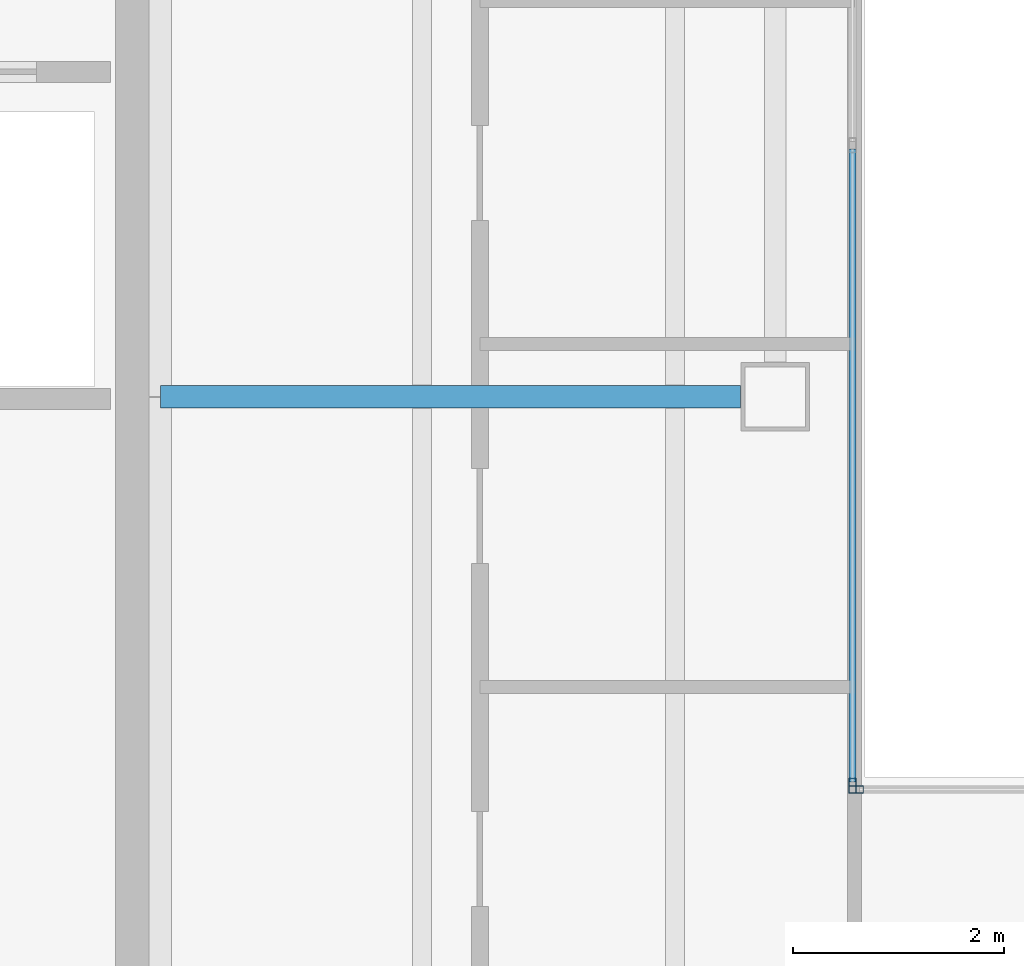
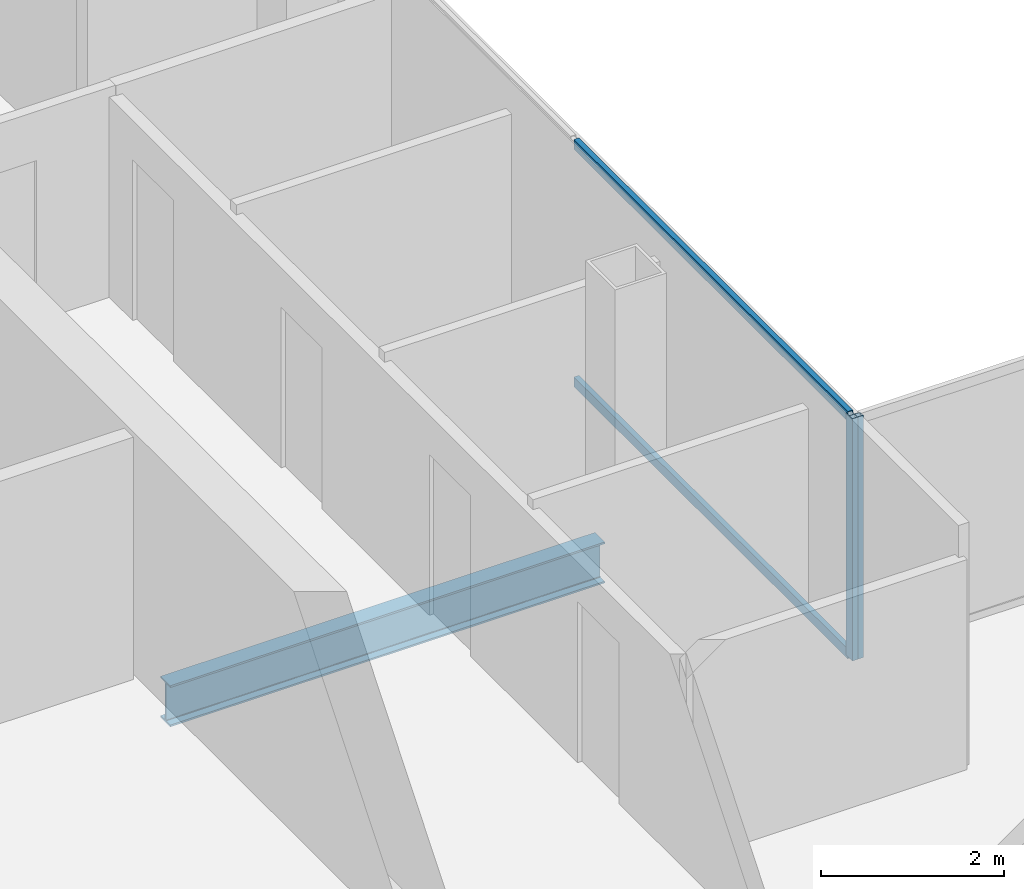
# One storey, part 8 of 23: 4 members, 1 beam, 2 elements without a shape of their own.
"""IFC4 building model written with IfcOpenShell, lengths in metres."""

import ifcopenshell
import ifcopenshell.guid

model = None  # the IFC model being written
_history = None  # IfcOwnerHistory: only IFC2X3 demands one
_inside = {}  # id of a spatial element -> (the spatial element, [elements in it])
_under = {}  # id of a project, library or spatial element -> (it, [spatial elements below it])
_declared = {}  # id of a project -> (the project, [libraries it declares])
_typed = {}  # id of a type object -> (the type object, [elements of that type])
_made_of = {}  # id of a material, layer set ... -> (it, [elements and type objects made of it])


def new_model(schema):
    """Start an empty IFC model of exactly this schema.

    Asked for "IFC4X3", IfcOpenShell would pick the latest addendum, in which some entities
    have other attributes; the version numbers below select the first issue.
    IFC2X3 requires an IfcOwnerHistory on every rooted entity: one is made here for all.
    """
    global model, _history
    if schema == "IFC4X3":
        model = ifcopenshell.file(schema_version=(4, 3, 0, 0))
    else:
        model = ifcopenshell.file(schema=schema)
    _inside.clear()
    _under.clear()
    _declared.clear()
    _typed.clear()
    _made_of.clear()
    _history = None
    if model.schema == "IFC2X3":
        org = make("IfcOrganization", Name="unknown")
        user = make(
            "IfcPersonAndOrganization",
            ThePerson=make("IfcPerson", FamilyName="unknown"),
            TheOrganization=org,
        )
        app = make(
            "IfcApplication",
            ApplicationDeveloper=org,
            Version="unknown",
            ApplicationFullName="unknown",
            ApplicationIdentifier="unknown",
        )
        _history = make(
            "IfcOwnerHistory",
            OwningUser=user,
            OwningApplication=app,
            ChangeAction="ADDED",
            CreationDate=0,
        )
    return model


def make(cls, **values):
    """One entity of the class cls with the attributes given. An attribute that is None is left unset."""
    return model.create_entity(
        cls, **{name: value for name, value in values.items() if value is not None}
    )


def rooted(cls, **values):
    """An entity with a GlobalId (a new one), such as an element, a storey or a relation."""
    return make(cls, GlobalId=ifcopenshell.guid.new(), OwnerHistory=_history, **values)


def si_unit(unit_type, name, prefix=None):
    """IfcSIUnit, for example si_unit("LENGTHUNIT", "METRE", prefix="MILLI")."""
    return make("IfcSIUnit", UnitType=unit_type, Prefix=prefix, Name=name)


def assignment(units):
    """IfcUnitAssignment: the units of a project."""
    return None if units is None else make("IfcUnitAssignment", Units=units)


def point(xyz):
    """IfcCartesianPoint."""
    return None if xyz is None else make("IfcCartesianPoint", Coordinates=xyz)


def direction(xyz):
    """IfcDirection."""
    return None if xyz is None else make("IfcDirection", DirectionRatios=xyz)


def frame(location, z_axis=None, x_axis=None):
    """IfcAxis2Placement3D, a coordinate frame: its origin and axes. An axis left out is left unset."""
    return make(
        "IfcAxis2Placement3D",
        Location=point(location),
        Axis=direction(z_axis),
        RefDirection=direction(x_axis),
    )


def frame_2d(location, x_axis=None):
    """IfcAxis2Placement2D, a coordinate frame in the plane: its origin and x axis."""
    return make(
        "IfcAxis2Placement2D", Location=point(location), RefDirection=direction(x_axis)
    )


def origin():
    """The frame at (0, 0, 0) with its axes left unset."""
    return frame((0.0, 0.0, 0.0))


def origin_2d():
    """The frame at (0, 0) in the plane with its x axis left unset."""
    return frame_2d((0.0, 0.0))


def place(relative_to, where):
    """IfcLocalPlacement: puts the frame where relative to a parent placement (None: the world)."""
    return make(
        "IfcLocalPlacement", PlacementRelTo=relative_to, RelativePlacement=where
    )


def context(
    kind, dimensions, precision=None, world=None, true_north=None, identifier=None
):
    """IfcGeometricRepresentationContext, for example the 3D "Model" context."""
    return make(
        "IfcGeometricRepresentationContext",
        ContextIdentifier=identifier,
        ContextType=kind,
        CoordinateSpaceDimension=dimensions,
        Precision=precision,
        WorldCoordinateSystem=world,
        TrueNorth=true_north,
    )


def subcontext(parent, identifier, kind, view, scale=None):
    """IfcGeometricRepresentationSubContext, for example "Body" below "Model"."""
    return make(
        "IfcGeometricRepresentationSubContext",
        ContextIdentifier=identifier,
        ContextType=kind,
        ParentContext=parent,
        TargetScale=scale,
        TargetView=view,
    )


def project(units=None, contexts=None):
    """IfcProject with its units and contexts."""
    return rooted(
        "IfcProject",
        Name="project",
        RepresentationContexts=contexts,
        UnitsInContext=assignment(units),
    )


def spatial(cls, under=None, at=None, **own):
    """A site, building, storey or space (cls), placed at a placement, below another one or the project."""
    s = rooted(cls, ObjectPlacement=at, **own)
    if under is not None:
        _under.setdefault(under.id(), (under, []))[1].append(s)
    return s


def profile(cls, at=None, kind="AREA", **sizes):
    """A parametric profile (cls). Its sizes go by their IFC names, for example OverallWidth=200.0."""
    return make(cls, ProfileType=kind, Position=at, **sizes)


def hollow_rectangle(**sizes):
    """IfcRectangleHollowProfileDef."""
    return profile("IfcRectangleHollowProfileDef", **sizes)


def i_section(**sizes):
    """IfcIShapeProfileDef."""
    return profile("IfcIShapeProfileDef", **sizes)


def extrude(swept, where, along, depth):
    """IfcExtrudedAreaSolid: the profile swept, set in the frame where, extruded along a direction by depth."""
    return make(
        "IfcExtrudedAreaSolid",
        SweptArea=swept,
        Position=where,
        ExtrudedDirection=direction(along),
        Depth=depth,
    )


def shape(context_of_items, identifier, shape_type, items):
    """IfcShapeRepresentation: the items that make up one representation, for example the "Body"."""
    return make(
        "IfcShapeRepresentation",
        ContextOfItems=context_of_items,
        RepresentationIdentifier=identifier,
        RepresentationType=shape_type,
        Items=items,
    )


def material(Name=None, Category=None):
    """IfcMaterial."""
    return make("IfcMaterial", Name=Name, Category=Category)


def material_profile(
    of_material, cross_section, Name=None, Category=None, Priority=None
):
    """IfcMaterialProfile: a cross section and its material."""
    return make(
        "IfcMaterialProfile",
        Name=Name,
        Material=of_material,
        Profile=cross_section,
        Priority=Priority,
        Category=Category,
    )


def profile_set(profiles, Name=None, composite=None):
    """IfcMaterialProfileSet."""
    return make(
        "IfcMaterialProfileSet",
        Name=Name,
        MaterialProfiles=profiles,
        CompositeProfile=composite,
    )


def made_of(thing, what):
    """Note that an element or type object is made of a material, layer set ...; save() writes the relation."""
    if what is not None:
        _made_of.setdefault(what.id(), (what, []))[1].append(thing)
    return thing


def type_object(cls, material=None, **own):
    """A type object (cls), such as IfcWallType, which elements share."""
    return made_of(rooted(cls, **own), material)


def element(
    cls,
    number,
    at=None,
    inside=None,
    cuts=None,
    type_object=None,
    material=None,
    context=None,
    identifier="Body",
    shape_type=None,
    held_by="IfcProductDefinitionShape",
    body=None,
    shapes=None,
    **own,
):
    """One element of the class cls, such as IfcWall. Its Tag is "e" and its number.

    at: its placement. inside: the storey or other place that contains it. cuts: it is an
    opening in that element (IfcRelVoidsElement). A single representation is given by context,
    identifier, shape_type and body (its items); several are given by shapes. held_by: the class
    of the entity that holds the representations. save() writes the other relations.
    """
    e = rooted(cls, Tag="e%d" % number, ObjectPlacement=at, **own)
    if body is not None:
        shapes = [shape(context, identifier, shape_type, body)]
    if shapes is not None:
        e.Representation = make(held_by, Representations=shapes)
    if inside is not None:
        _inside.setdefault(inside.id(), (inside, []))[1].append(e)
    if cuts is not None:
        rooted(
            "IfcRelVoidsElement", RelatingBuildingElement=cuts, RelatedOpeningElement=e
        )
    if type_object is not None:
        _typed.setdefault(type_object.id(), (type_object, []))[1].append(e)
    return made_of(e, material)


def aggregate(whole, parts):
    """IfcRelAggregates: a whole, such as a stair, and the parts it consists of."""
    return rooted("IfcRelAggregates", RelatingObject=whole, RelatedObjects=parts)


def save(model, path):
    """Write the relations noted so far, then the file.

    IfcRelAggregates (storeys below a building ...), IfcRelContainedInSpatialStructure (elements
    in a storey), IfcRelDefinesByType, IfcRelAssociatesMaterial and IfcRelDeclares: one each for
    every whole, place, type object, material and project.
    """
    for whole, parts in _under.values():
        aggregate(whole, parts)
    for where, things in _inside.values():
        rooted(
            "IfcRelContainedInSpatialStructure",
            RelatedElements=things,
            RelatingStructure=where,
        )
    for kind, things in _typed.values():
        rooted("IfcRelDefinesByType", RelatedObjects=things, RelatingType=kind)
    for what, things in _made_of.values():
        rooted("IfcRelAssociatesMaterial", RelatedObjects=things, RelatingMaterial=what)
    for by, libraries in _declared.values():
        rooted("IfcRelDeclares", RelatingContext=by, RelatedDefinitions=libraries)
    model.write(path)


model = new_model("IFC4")

# Units and contexts
model_context = context("Model", 3, precision=1e-05, world=origin(), true_north=direction((0.0, 1.0)))
body_context = subcontext(model_context, "Body", "Model", "MODEL_VIEW")
ifc_project = project(units=[si_unit("LENGTHUNIT", "METRE"), si_unit("AREAUNIT", "SQUARE_METRE"), si_unit("VOLUMEUNIT", "CUBIC_METRE"), si_unit("PLANEANGLEUNIT", "RADIAN"), si_unit("MASSUNIT", "GRAM", prefix="KILO")], contexts=[model_context])

# Site, building, storey
site_placement = place(None, origin())
site = spatial("IfcSite", under=ifc_project, at=site_placement, CompositionType="ELEMENT")
building_placement = place(site_placement, origin())
building = spatial("IfcBuilding", under=site, at=building_placement, Name="Cobrela Telecom Tower", CompositionType="ELEMENT")
storey_placement = place(building_placement, frame((0.0, 0.0, 265.64990234375)))
storey = spatial("IfcBuildingStorey", under=building, at=storey_placement, Name="L69", CompositionType="ELEMENT", Elevation=265.64990234375)

# Beam
ifc_material_1 = material(Name="Steel ASTM A992 Grade 50", Category="steel")
ifc_material_profile_1 = material_profile(ifc_material_1, i_section(OverallWidth=0.212890625, OverallDepth=0.549072265625, WebThickness=0.0146484375, FlangeThickness=0.023681640625, FilletRadius=0.013916015625, at=origin_2d()), Name="W21X93")
ifc_profile_set_1 = profile_set([ifc_material_profile_1], Name="Steel ASTM A992 Grade 50")
beam_type = type_object("IfcBeamType", Name="BM-GIRD-08", PredefinedType="USERDEFINED", material=ifc_profile_set_1)
beam_placement = place(storey_placement, frame((14.324951171875, 28.800048828125, -0.534423828125), z_axis=(1.0, 0.0, 0.0), x_axis=(0.0, 1.0, 0.0)))
element("IfcBeam", 1, at=beam_placement, inside=storey, type_object=beam_type, Name="L69 Primary Girder X15", ObjectType="GIRDER", PredefinedType="USERDEFINED", context=body_context, shape_type="SweptSolid", body=[
    extrude(i_section(OverallWidth=0.212890625, OverallDepth=0.549072265625, WebThickness=0.0146484375, FlangeThickness=0.023681640625, FilletRadius=0.013916015625, at=origin_2d()), origin(), (0.0, 0.0, 1.0), 5.4951171875),
])

# Curtain wall, member
ifc_material_2 = material(Name="Anodized Bronze Aluminium 6063-T6", Category="aluminium")
curtain_wall_type = type_object("IfcCurtainWallType", Name="CW-SYS-OFF-HI", PredefinedType="USERDEFINED", material=ifc_material_2)
curtain_wall_1_placement = place(storey_placement, origin())
curtain_wall_1 = element("IfcCurtainWall", 2, at=curtain_wall_1_placement, inside=storey, type_object=curtain_wall_type, Name="L69 Unitised Bronze Curtain Wall 08", ObjectType="UNITISED CURTAIN WALL", PredefinedType="USERDEFINED")
ifc_material_profile_2 = material_profile(ifc_material_2, hollow_rectangle(XDim=0.070068359375, YDim=0.139892578125, WallThickness=0.00390625, at=origin_2d()), Name="ALU 70x140x4")
ifc_profile_set_2 = profile_set([ifc_material_profile_2], Name="Anodized Bronze Aluminium 6063-T6")
member_type_1 = type_object("IfcMemberType", Name="CW-SYS-OFF-HI-MUL", PredefinedType="MULLION", material=ifc_profile_set_2)
member_1_placement = place(storey_placement, frame((20.8798828125, 25.114990234375, 0.0), z_axis=(0.0, 0.0, 1.0), x_axis=(1.0, 0.0, 0.0)))
member_1 = element("IfcMember", 3, at=member_1_placement, type_object=member_type_1, Name="CW-OFF-HI mullion 3", PredefinedType="MULLION", context=body_context, shape_type="SweptSolid", body=[
    extrude(hollow_rectangle(XDim=0.070068359375, YDim=0.139892578125, WallThickness=0.00390625, at=origin_2d()), origin(), (0.0, 0.0, 1.0), 3.239990234375),
])

curtain_wall_2_placement = place(storey_placement, origin())
curtain_wall_2 = element("IfcCurtainWall", 4, at=curtain_wall_2_placement, inside=storey, type_object=curtain_wall_type, Name="L69 Unitised Bronze Curtain Wall 09", ObjectType="UNITISED CURTAIN WALL", PredefinedType="USERDEFINED")
member_2_placement = place(storey_placement, frame((20.9150390625, 25.080078125, 0.0), z_axis=(0.0, 0.0, 1.0), x_axis=(0.0, 1.0, 0.0)))
member_2 = element("IfcMember", 5, at=member_2_placement, type_object=member_type_1, Name="CW-OFF-HI mullion 1", PredefinedType="MULLION", context=body_context, shape_type="SweptSolid", body=[
    extrude(hollow_rectangle(XDim=0.070068359375, YDim=0.139892578125, WallThickness=0.00390625, at=origin_2d()), origin(), (0.0, 0.0, 1.0), 3.239990234375),
])
aggregate(curtain_wall_2, [member_2])

# Member
ifc_material_profile_3 = material_profile(ifc_material_2, hollow_rectangle(XDim=0.06494140625, YDim=0.1298828125, WallThickness=0.00390625, at=origin_2d()), Name="ALU 65x130x4")
ifc_profile_set_3 = profile_set([ifc_material_profile_3], Name="Anodized Bronze Aluminium 6063-T6")
member_type_2 = type_object("IfcMemberType", Name="CW-SYS-OFF-HI-TRN", PredefinedType="USERDEFINED", material=ifc_profile_set_3)
member_3_placement = place(storey_placement, frame((20.8798828125, 31.14990234375, 0.03271484375), z_axis=(0.0, -1.0, 0.0), x_axis=(1.0, 0.0, 0.0)))
member_3 = element("IfcMember", 6, at=member_3_placement, type_object=member_type_2, Name="CW-OFF-HI transom 2.1", ObjectType="TRANSOM", PredefinedType="USERDEFINED", context=body_context, shape_type="SweptSolid", body=[
    extrude(hollow_rectangle(XDim=0.06494140625, YDim=0.1298828125, WallThickness=0.00390625, at=origin_2d()), origin(), (0.0, 0.0, 1.0), 6.0),
])

member_4_placement = place(storey_placement, frame((20.8798828125, 31.14990234375, 3.20751953125), z_axis=(0.0, -1.0, 0.0), x_axis=(1.0, 0.0, 0.0)))
member_4 = element("IfcMember", 7, at=member_4_placement, type_object=member_type_2, Name="CW-OFF-HI transom 2.2", ObjectType="TRANSOM", PredefinedType="USERDEFINED", context=body_context, shape_type="SweptSolid", body=[
    extrude(hollow_rectangle(XDim=0.06494140625, YDim=0.1298828125, WallThickness=0.00390625, at=origin_2d()), origin(), (0.0, 0.0, 1.0), 6.0),
])

aggregate(curtain_wall_1, [member_1, member_3, member_4])

save(model, "model.ifc")
